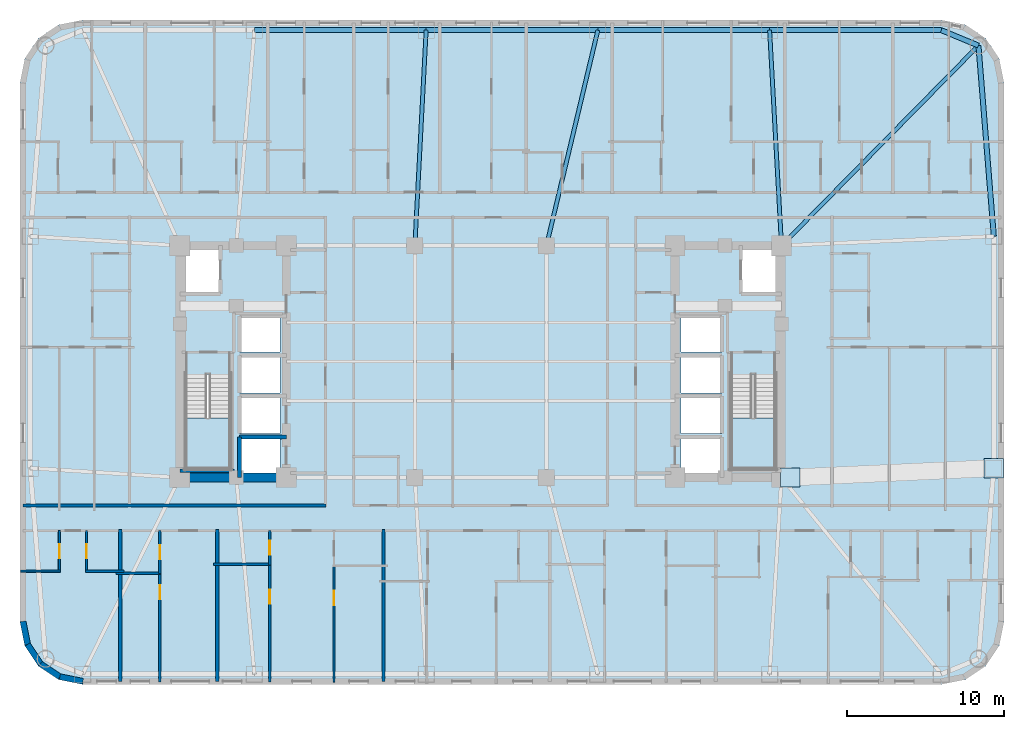
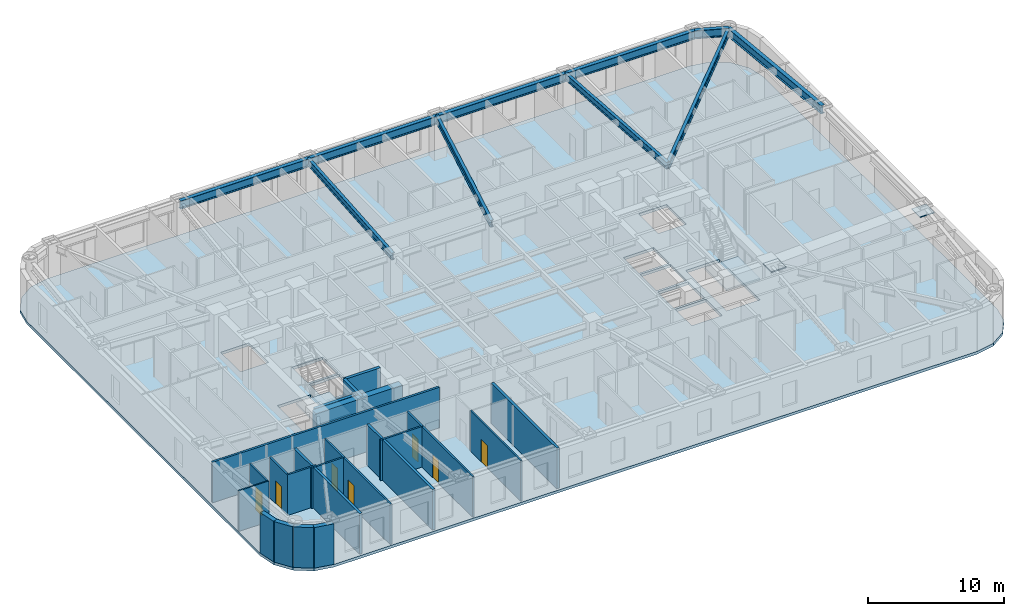
# One storey, part 2 of 12: 23 walls, 10 beams, 7 doors, 3 slabs, 2 plates, 7 openings, 2 elements without a shape of their own.
"""IFC4 building model written with IfcOpenShell, lengths in metres."""

from ifc_helpers import new_model, si_unit, direction, frame, frame_2d, origin, origin_2d, place, context, subcontext, project, spatial, polyline, rectangle, i_section, outline, extrude, material, layer, layer_set, material_profile, profile_set, type_object, element, fill, aggregate, save


model = new_model("IFC4")

# Units and contexts
model_context = context("Model", 3, precision=1e-05, world=origin(), true_north=direction((0.0, 1.0)))
body_context = subcontext(model_context, "Body", "Model", "MODEL_VIEW")
ifc_project = project(units=[si_unit("LENGTHUNIT", "METRE"), si_unit("AREAUNIT", "SQUARE_METRE"), si_unit("VOLUMEUNIT", "CUBIC_METRE"), si_unit("PLANEANGLEUNIT", "RADIAN"), si_unit("MASSUNIT", "GRAM", prefix="KILO")], contexts=[model_context])

# Site, building, storey
site_placement = place(None, origin())
site = spatial("IfcSite", under=ifc_project, at=site_placement, CompositionType="ELEMENT")
building_placement = place(site_placement, origin())
building = spatial("IfcBuilding", under=site, at=building_placement, Name="Voryun Gate Residences", CompositionType="ELEMENT")
storey_placement = place(building_placement, frame((0.0, 0.0, 132.60009765625)))
storey = spatial("IfcBuildingStorey", under=building, at=storey_placement, Name="L32", CompositionType="ELEMENT", Elevation=132.60009765625)

# Beams
ifc_material_1 = material(Name="Steel SM355", Category="steel")
ifc_material_profile_1 = material_profile(ifc_material_1, i_section(OverallWidth=0.320068359375, OverallDepth=0.75, WebThickness=0.01611328125, FlangeThickness=0.028076171875, FilletRadius=0.01806640625, at=origin_2d()), Name="H-750x320x16x28")
ifc_profile_set_1 = profile_set([ifc_material_profile_1], Name="Steel SM355")
beam_type_1 = type_object("IfcBeamType", Name="BM_EXO_SPANDREL_L", PredefinedType="SPANDREL", material=ifc_profile_set_1)
beam_1_placement = place(storey_placement, frame((32.75, 7.998046875, 3.27490234375), z_axis=(-0.080359517973, 0.996765944378, 0.0), x_axis=(-0.996765944378, -0.080359517973, 0.0)))
element("IfcBeam", 1, at=beam_1_placement, inside=storey, type_object=beam_type_1, Name="BM-L32-SPAND-09", PredefinedType="SPANDREL", context=body_context, shape_type="SweptSolid", body=[
    extrude(i_section(OverallWidth=0.320068359375, OverallDepth=0.75, WebThickness=0.01611328125, FlangeThickness=0.028076171875, FilletRadius=0.01806640625, at=origin_2d()), origin(), (0.0, 0.0, 1.0), 12.210205078125),
])
beam_2_placement = place(storey_placement, frame((31.768798828125, 20.168701171875, 3.27490234375), z_axis=(-0.923883376753, 0.382674151414, 0.0), x_axis=(-0.382674151414, -0.923883376753, 0.0)))
element("IfcBeam", 2, at=beam_2_placement, inside=storey, type_object=beam_type_1, Name="BM-L32-SPAND-10", PredefinedType="SPANDREL", context=body_context, shape_type="SweptSolid", body=[
    extrude(i_section(OverallWidth=0.320068359375, OverallDepth=0.75, WebThickness=0.01611328125, FlangeThickness=0.028076171875, FilletRadius=0.01806640625, at=origin_2d()), origin(), (0.0, 0.0, 1.0), 2.56396484375),
])
for number, where, z_axis, x_axis, name in (
    (3, (29.39990234375, 21.14990234375, 3.27490234375), (-1.0, 0.0, 0.0), (0.0, -1.0, 0.0), "BM-L32-SPAND-11"),
    (4, (18.43994140625, 21.14990234375, 3.27490234375), (-1.0, 0.0, 0.0), (0.0, -1.0, 0.0), "BM-L32-SPAND-12"),
    (5, (7.47998046875, 21.14990234375, 3.27490234375), (-1.0, 0.0, 0.0), (0.0, -1.0, 0.0), "BM-L32-SPAND-13"),
    (6, (-3.47998046875, 21.14990234375, 3.27490234375), (-1.0, 0.0, 0.0), (0.0, -1.0, 0.0), "BM-L32-SPAND-14"),
):
    element("IfcBeam", number, at=place(storey_placement, frame(where, z_axis=z_axis, x_axis=x_axis)), inside=storey, type_object=beam_type_1, Name=name, PredefinedType="SPANDREL", context=body_context, shape_type="SweptSolid", body=[
        extrude(i_section(OverallWidth=0.320068359375, OverallDepth=0.75, WebThickness=0.01611328125, FlangeThickness=0.028076171875, FilletRadius=0.01806640625, at=origin_2d()), origin(), (0.0, 0.0, 1.0), 10.9599609375),
    ])
ifc_material_2 = material(Name="Steel SM355", Category="steel")
ifc_material_profile_2 = material_profile(ifc_material_2, i_section(OverallWidth=0.25, OverallDepth=0.60009765625, WebThickness=0.011962890625, FlangeThickness=0.02197265625, FilletRadius=0.01806640625, at=origin_2d()), Name="H-600x250x12x22")
ifc_profile_set_2 = profile_set([ifc_material_profile_2], Name="Steel SM355")
beam_type_2 = type_object("IfcBeamType", Name="BM_GIRD_600", PredefinedType="USERDEFINED", material=ifc_profile_set_2)
beam_3_placement = place(storey_placement, frame((19.199951171875, 7.39990234375, 3.349853515625), z_axis=(0.701504829324, 0.712664699866, 0.0), x_axis=(-0.712664699866, 0.701504829324, 0.0)))
element("IfcBeam", 7, at=beam_3_placement, inside=storey, type_object=beam_type_2, Name="BM-L32-RAD-CNE", ObjectType="GIRDER", PredefinedType="USERDEFINED", context=body_context, shape_type="SweptSolid", body=[
    extrude(i_section(OverallWidth=0.25, OverallDepth=0.60009765625, WebThickness=0.011962890625, FlangeThickness=0.02197265625, FilletRadius=0.01806640625, at=origin_2d()), origin(), (0.0, 0.0, 1.0), 17.9169921875),
])
beam_4_placement = place(storey_placement, frame((19.199951171875, 7.39990234375, 3.349853515625), z_axis=(-0.055189196078, 0.9984759149, 0.0), x_axis=(-0.9984759149, -0.055189196078, 0.0)))
element("IfcBeam", 8, at=beam_4_placement, inside=storey, type_object=beam_type_2, Name="BM-L32-RAD-N2", ObjectType="GIRDER", PredefinedType="USERDEFINED", context=body_context, shape_type="SweptSolid", body=[
    extrude(i_section(OverallWidth=0.25, OverallDepth=0.60009765625, WebThickness=0.011962890625, FlangeThickness=0.02197265625, FilletRadius=0.01806640625, at=origin_2d()), origin(), (0.0, 0.0, 1.0), 13.77099609375),
])
beam_5_placement = place(storey_placement, frame((4.199951171875, 7.39990234375, 3.349853515625), z_axis=(0.232036902087, 0.972706983665, 0.0), x_axis=(-0.972706983665, 0.232036902087, 0.0)))
element("IfcBeam", 9, at=beam_5_placement, inside=storey, type_object=beam_type_2, Name="BM-L32-RAD-N3", ObjectType="GIRDER", PredefinedType="USERDEFINED", context=body_context, shape_type="SweptSolid", body=[
    extrude(i_section(OverallWidth=0.25, OverallDepth=0.60009765625, WebThickness=0.011962890625, FlangeThickness=0.02197265625, FilletRadius=0.01806640625, at=origin_2d()), origin(), (0.0, 0.0, 1.0), 14.1357421875),
])
beam_6_placement = place(storey_placement, frame((-4.199951171875, 7.39990234375, 3.349853515625), z_axis=(0.052289872463, 0.998631948837, 0.0), x_axis=(-0.998631948837, 0.052289872463, 0.0)))
element("IfcBeam", 10, at=beam_6_placement, inside=storey, type_object=beam_type_2, Name="BM-L32-RAD-N4", ObjectType="GIRDER", PredefinedType="USERDEFINED", context=body_context, shape_type="SweptSolid", body=[
    extrude(i_section(OverallWidth=0.25, OverallDepth=0.60009765625, WebThickness=0.011962890625, FlangeThickness=0.02197265625, FilletRadius=0.01806640625, at=origin_2d()), origin(), (0.0, 0.0, 1.0), 13.768798828125),
])

# Plates
ifc_material_3 = material(Name="Steel SM355", Category="steel")
ifc_layer_1 = layer(ifc_material_3, 0.02490234375, Name="PLT_END_CAP_25")
ifc_layer_set_1 = layer_set([ifc_layer_1], Name="Steel SM355")
plate_type = type_object("IfcPlateType", Name="PLT_END_CAP_25", PredefinedType="USERDEFINED", material=ifc_layer_set_1)
for number, where, z_axis, x_axis, name in (
    (11, (19.75, -7.39990234375, 3.059814453125), (0.0, 0.0, 1.0), (1.0, 0.0, 0.0), "L32 Hollow Member End-Cap Plate EC-390"),
    (12, (32.75, -6.798095703125, 3.059814453125), (0.0, 0.0, 1.0), (1.0, 0.0, 0.0), "L32 Hollow Member End-Cap Plate EC-391"),
):
    element("IfcPlate", number, at=place(storey_placement, frame(where, z_axis=z_axis, x_axis=x_axis)), inside=storey, type_object=plate_type, Name=name, ObjectType="BASE_PLATE", PredefinedType="USERDEFINED", context=body_context, shape_type="SweptSolid", body=[
        extrude(rectangle(XDim=1.239990234375, YDim=1.239990234375, at=origin_2d()), origin(), (0.0, 0.0, 1.0), 0.080078125),
    ])

# Slab
ifc_material_4 = material(Name="Concrete C40/50", Category="concrete")
ifc_layer_2 = layer(ifc_material_4, 0.25, Name="SLB_RES_250")
ifc_layer_set_2 = layer_set([ifc_layer_2], Name="Concrete C40/50")
slab_type_1 = type_object("IfcSlabType", Name="SLB_RES_250", PredefinedType="FLOOR", material=ifc_layer_set_2)
slab_1_placement = place(storey_placement, frame((0.0, 0.0, -0.25)))
element("IfcSlab", 13, at=slab_1_placement, inside=storey, type_object=slab_type_1, Name="L32 Structural Floor Slab", PredefinedType="FLOOR", context=body_context, shape_type="SweptSolid", body=[
    extrude(outline(polyline([(-25.39990234375, -20.60009765625), (-26.9306640625, -20.29541015625), (-28.228515625, -19.428466796875), (-29.095458984375, -18.130615234375), (-29.39990234375, -16.60009765625), (-29.39990234375, 17.800048828125), (-29.095458984375, 19.330810546875), (-28.228515625, 20.62841796875), (-26.9306640625, 21.49560546875), (-25.39990234375, 21.800048828125), (29.39990234375, 21.800048828125), (30.9306640625, 21.49560546875), (32.228515625, 20.62841796875), (33.095458984375, 19.330810546875), (33.39990234375, 17.800048828125), (33.39990234375, -16.60009765625), (33.095458984375, -18.130615234375), (32.228515625, -19.428466796875), (30.9306640625, -20.29541015625), (29.39990234375, -20.60009765625), (-25.39990234375, -20.60009765625)]), holes=[polyline([(-12.800048828125, -4.800048828125), (-15.39990234375, -4.800048828125), (-15.39990234375, -7.199951171875), (-12.800048828125, -7.199951171875), (-12.800048828125, -4.800048828125)]), polyline([(-18.824951171875, -6.85009765625), (-15.97509765625, -6.85009765625), (-15.97509765625, -0.840087890625), (-18.824951171875, -0.840087890625), (-18.824951171875, -6.85009765625)]), polyline([(-12.800048828125, -4.60009765625), (-12.800048828125, -2.199951171875), (-15.39990234375, -2.199951171875), (-15.39990234375, -4.60009765625), (-12.800048828125, -4.60009765625)]), polyline([(-12.800048828125, 0.39990234375), (-15.39990234375, 0.39990234375), (-15.39990234375, -2.0), (-12.800048828125, -2.0), (-12.800048828125, 0.39990234375)]), polyline([(-12.800048828125, 0.60009765625), (-12.800048828125, 2.89990234375), (-15.39990234375, 2.89990234375), (-15.39990234375, 0.60009765625), (-12.800048828125, 0.60009765625)]), polyline([(-16.60009765625, 4.300048828125), (-16.60009765625, 7.199951171875), (-19.0, 7.199951171875), (-19.0, 4.300048828125), (-16.60009765625, 4.300048828125)]), polyline([(15.39990234375, -4.800048828125), (12.800048828125, -4.800048828125), (12.800048828125, -7.199951171875), (15.39990234375, -7.199951171875), (15.39990234375, -4.800048828125)]), polyline([(15.97509765625, -6.85009765625), (18.824951171875, -6.85009765625), (18.824951171875, -0.840087890625), (15.97509765625, -0.840087890625), (15.97509765625, -6.85009765625)]), polyline([(15.39990234375, -4.60009765625), (15.39990234375, -2.199951171875), (12.800048828125, -2.199951171875), (12.800048828125, -4.60009765625), (15.39990234375, -4.60009765625)]), polyline([(15.39990234375, 0.39990234375), (12.800048828125, 0.39990234375), (12.800048828125, -2.0), (15.39990234375, -2.0), (15.39990234375, 0.39990234375)]), polyline([(15.39990234375, 0.60009765625), (15.39990234375, 2.89990234375), (12.800048828125, 2.89990234375), (12.800048828125, 0.60009765625), (15.39990234375, 0.60009765625)]), polyline([(19.0, 4.300048828125), (19.0, 7.199951171875), (16.60009765625, 7.199951171875), (16.60009765625, 4.300048828125), (19.0, 4.300048828125)])]), origin(), (0.0, 0.0, 1.0), 0.25),
])

# Stair, slab
ifc_material_5 = material(Name="Concrete C40/50", Category="concrete")
stair_type = type_object("IfcStairType", Name="STR_CORE_DOGLEG_1350", PredefinedType="HALF_TURN_STAIR", material=ifc_material_5)
stair_1_placement = place(storey_placement, origin())
stair_1 = element("IfcStair", 14, at=stair_1_placement, inside=storey, type_object=stair_type, Name="L32 Special Escape Stair ST-W1", PredefinedType="HALF_TURN_STAIR")
ifc_material_6 = material(Name="Concrete C40/50", Category="concrete")
ifc_layer_3 = layer(ifc_material_6, 0.199951171875, Name="SLB_STAIR_LANDING_200")
ifc_layer_set_3 = layer_set([ifc_layer_3], Name="Concrete C40/50")
slab_type_2 = type_object("IfcSlabType", Name="SLB_STAIR_LANDING_200", PredefinedType="LANDING", material=ifc_layer_set_3)
slab_2_placement = place(storey_placement, frame((0.0, 0.0, 1.75)))
slab_2 = element("IfcSlab", 15, at=slab_2_placement, type_object=slab_type_2, Name="ST-W1 landing 1", PredefinedType="LANDING", context=body_context, shape_type="SweptSolid", body=[
    extrude(outline(polyline([(-18.824951171875, -3.60009765625), (-18.824951171875, -6.85009765625), (-15.97509765625, -6.85009765625), (-15.97509765625, -3.60009765625), (-18.824951171875, -3.60009765625)])), origin(), (0.0, 0.0, 1.0), 0.199951171875),
])
aggregate(stair_1, [slab_2])

stair_2_placement = place(storey_placement, origin())
stair_2 = element("IfcStair", 16, at=stair_2_placement, inside=storey, type_object=stair_type, Name="L32 Special Escape Stair ST-E1", PredefinedType="HALF_TURN_STAIR")
slab_3_placement = place(storey_placement, frame((0.0, 0.0, 1.75)))
slab_3 = element("IfcSlab", 17, at=slab_3_placement, type_object=slab_type_2, Name="ST-E1 landing 1", PredefinedType="LANDING", context=body_context, shape_type="SweptSolid", body=[
    extrude(outline(polyline([(15.97509765625, -3.60009765625), (15.97509765625, -6.85009765625), (18.824951171875, -6.85009765625), (18.824951171875, -3.60009765625), (15.97509765625, -3.60009765625)])), origin(), (0.0, 0.0, 1.0), 0.199951171875),
])
aggregate(stair_2, [slab_3])

# Walls
ifc_material_7 = material(Name="Concrete C60/75", Category="concrete")
ifc_layer_4 = layer(ifc_material_7, 0.550048828125, Name="CW_CORE_550")
ifc_layer_set_4 = layer_set([ifc_layer_4], Name="Concrete C60/75")
wall_type_1 = type_object("IfcWallType", Name="CW_CORE_550", PredefinedType="SHEAR", material=ifc_layer_set_4)
wall_1_placement = place(storey_placement, frame((-19.47509765625, -7.39990234375, 0.0), z_axis=(0.0, 0.0, 1.0), x_axis=(1.0, 0.0, 0.0)))
element("IfcWall", 18, at=wall_1_placement, inside=storey, type_object=wall_type_1, Name="L32 Core shear wall CW-L32-WS", PredefinedType="SHEAR", context=body_context, shape_type="SweptSolid", body=[
    extrude(rectangle(XDim=7.35009765625, YDim=0.550048828125, at=frame_2d((3.675048828125, 0.0))), origin(), (0.0, 0.0, 1.0), 3.64990234375),
])
ifc_material_8 = material(Name="Gypsum acoustic fireboard")
ifc_layer_5 = layer(ifc_material_8, 0.179931640625, Name="W_CORR_RATED_180")
ifc_layer_set_5 = layer_set([ifc_layer_5], Name="Gypsum acoustic fireboard")
wall_type_2 = type_object("IfcWallType", Name="W_CORR_RATED_180", PredefinedType="PARTITIONING", material=ifc_layer_set_5)
wall_2_placement = place(storey_placement, frame((-29.2099609375, -9.18994140625, 0.0), z_axis=(0.0, 0.0, 1.0), x_axis=(1.0, 0.0, 0.0)))
element("IfcWall", 19, at=wall_2_placement, inside=storey, type_object=wall_type_2, Name="Partition wall WP-L32-CWING-WS", PredefinedType="PARTITIONING", context=body_context, shape_type="SweptSolid", body=[
    extrude(rectangle(XDim=19.330078125, YDim=0.179931640625, at=frame_2d((9.6650390625, 0.0))), origin(), (0.0, 0.0, 1.0), 3.64990234375),
])
ifc_material_9 = material(Name="Granite masonry", Category="masonry")
ifc_layer_6 = layer(ifc_material_9, 0.3798828125, Name="W_EXT_GRANITE_380")
ifc_layer_set_6 = layer_set([ifc_layer_6], Name="Granite masonry")
wall_type_3 = type_object("IfcWallType", Name="W_EXT_GRANITE_380", PredefinedType="ELEMENTEDWALL", material=ifc_layer_set_6)
wall_3_placement = place(storey_placement, frame((-25.38134765625, -20.409912109375, 0.0), z_axis=(0.0, 0.0, 1.0), x_axis=(-0.980786132421, 0.195086038585, 0.0)))
element("IfcWall", 20, at=wall_3_placement, inside=storey, type_object=wall_type_3, Name="Exterior wall WEXT-L32-02", PredefinedType="ELEMENTEDWALL", context=body_context, shape_type="SweptSolid", body=[
    extrude(rectangle(XDim=1.504150390625, YDim=0.3798828125, at=frame_2d((0.751953125, 0.0))), origin(), (0.0, 0.0, 1.0), 3.64990234375),
])
wall_4_placement = place(storey_placement, frame((-26.856689453125, -20.116455078125, 0.0), z_axis=(0.0, 0.0, 1.0), x_axis=(-0.831468045563, 0.555572577804, 0.0)))
element("IfcWall", 21, at=wall_4_placement, inside=storey, type_object=wall_type_3, Name="Exterior wall WEXT-L32-03", PredefinedType="ELEMENTEDWALL", context=body_context, shape_type="SweptSolid", body=[
    extrude(rectangle(XDim=1.48486328125, YDim=0.3798828125, at=frame_2d((0.742431640625, 0.0))), origin(), (0.0, 0.0, 1.0), 3.64990234375),
])
wall_5_placement = place(storey_placement, frame((-28.09130859375, -19.29150390625, 0.0), z_axis=(0.0, 0.0, 1.0), x_axis=(-0.555610286119, 0.831442848281, 0.0)))
element("IfcWall", 22, at=wall_5_placement, inside=storey, type_object=wall_type_3, Name="Exterior wall WEXT-L32-04", PredefinedType="ELEMENTEDWALL", context=body_context, shape_type="SweptSolid", body=[
    extrude(rectangle(XDim=1.485107421875, YDim=0.3798828125, at=frame_2d((0.74267578125, 0.0))), origin(), (0.0, 0.0, 1.0), 3.64990234375),
])
wall_6_placement = place(storey_placement, frame((-28.91650390625, -18.056640625, 0.0), z_axis=(0.0, 0.0, 1.0), x_axis=(-0.195086038585, 0.980786132421, 0.0)))
element("IfcWall", 23, at=wall_6_placement, inside=storey, type_object=wall_type_3, Name="Exterior wall WEXT-L32-05", PredefinedType="ELEMENTEDWALL", context=body_context, shape_type="SweptSolid", body=[
    extrude(rectangle(XDim=1.504150390625, YDim=0.3798828125, at=frame_2d((0.751953125, 0.0))), origin(), (0.0, 0.0, 1.0), 3.64990234375),
])
ifc_material_10 = material(Name="Concrete C40/50", Category="concrete")
ifc_layer_7 = layer(ifc_material_10, 0.219970703125, Name="W_PARTY_ACOUSTIC_220")
ifc_layer_set_7 = layer_set([ifc_layer_7], Name="Concrete C40/50")
wall_type_4 = type_object("IfcWallType", Name="W_PARTY_ACOUSTIC_220", PredefinedType="PARTITIONING", material=ifc_layer_set_7)
for number, where, z_axis, x_axis, name in (
    (24, (-23.009033203125, -20.409912109375, 0.0), (0.0, 0.0, 1.0), (0.0, 1.0, 0.0), "Partition wall WP-L32-SPTY-1"),
    (25, (-16.800048828125, -20.409912109375, 0.0), (0.0, 0.0, 1.0), (0.0, 1.0, 0.0), "Partition wall WP-L32-SPTY-2"),
    (26, (-6.199951171875, -20.409912109375, 0.0), (0.0, 0.0, 1.0), (0.0, 1.0, 0.0), "Partition wall WP-L32-SPTY-3"),
):
    element("IfcWall", number, at=place(storey_placement, frame(where, z_axis=z_axis, x_axis=x_axis)), inside=storey, type_object=wall_type_4, Name=name, PredefinedType="PARTITIONING", context=body_context, shape_type="SweptSolid", body=[
        extrude(rectangle(XDim=9.68994140625, YDim=0.219970703125, at=frame_2d((4.844970703125, 0.0))), origin(), (0.0, 0.0, 1.0), 3.64990234375),
    ])
ifc_material_11 = material(Name="Concrete C50/60", Category="concrete")
ifc_layer_8 = layer(ifc_material_11, 0.25, Name="W_SHAFT_RC250")
ifc_layer_set_8 = layer_set([ifc_layer_8], Name="Concrete C50/60")
wall_type_5 = type_object("IfcWallType", Name="W_SHAFT_RC250", PredefinedType="SOLIDWALL", material=ifc_layer_set_8)
wall_7_placement = place(storey_placement, frame((-19.199951171875, -6.965087890625, 0.0), z_axis=(0.0, 0.0, 1.0), x_axis=(1.0, 0.0, 0.0)))
element("IfcWall", 27, at=wall_7_placement, inside=storey, type_object=wall_type_5, Name="L32 Stair shaft structural wall W-STS", PredefinedType="SOLIDWALL", context=body_context, shape_type="SweptSolid", body=[
    extrude(rectangle(XDim=3.4599609375, YDim=0.25, at=frame_2d((1.72998046875, 0.0))), origin(), (0.0, 0.0, 1.0), 3.64990234375),
])
wall_8_placement = place(storey_placement, frame((-12.39990234375, -4.800048828125, 0.0), z_axis=(0.0, 0.0, 1.0), x_axis=(-1.0, 0.0, 0.0)))
element("IfcWall", 28, at=wall_8_placement, inside=storey, type_object=wall_type_5, Name="Lift shaft wall WSH-L32-EL-P1-N", PredefinedType="SOLIDWALL", context=body_context, shape_type="SweptSolid", body=[
    extrude(rectangle(XDim=3.0, YDim=0.25, at=frame_2d((1.5, 0.0))), origin(), (0.0, 0.0, 1.0), 3.64990234375),
])
wall_9_placement = place(storey_placement, frame((-15.39990234375, -4.800048828125, 0.0), z_axis=(0.0, 0.0, 1.0), x_axis=(0.0, -1.0, 0.0)))
element("IfcWall", 29, at=wall_9_placement, inside=storey, type_object=wall_type_5, Name="Lift shaft wall WSH-L32-EL-P1-W", PredefinedType="SOLIDWALL", context=body_context, shape_type="SweptSolid", body=[
    extrude(rectangle(XDim=2.599853515625, YDim=0.25, at=frame_2d((1.2998046875, 0.0))), origin(), (0.0, 0.0, 1.0), 3.64990234375),
])

# Wall, opening, door
ifc_material_12 = material(Name="Gypsum acoustic partition")
ifc_layer_9 = layer(ifc_material_12, 0.125, Name="W_UNIT_PART_125")
ifc_layer_set_9 = layer_set([ifc_layer_9], Name="Gypsum acoustic partition")
wall_type_6 = type_object("IfcWallType", Name="W_UNIT_PART_125", PredefinedType="PARTITIONING", material=ifc_layer_set_9)
wall_10_placement = place(storey_placement, frame((-26.881103515625, -13.429931640625, 0.0), z_axis=(0.0, 0.0, 1.0), x_axis=(0.0, 1.0, 0.0)))
wall_10 = element("IfcWall", 30, at=wall_10_placement, inside=storey, type_object=wall_type_6, Name="Partition wall WP-L32-S1-CVK", PredefinedType="PARTITIONING", context=body_context, shape_type="SweptSolid", body=[
    extrude(rectangle(XDim=2.64990234375, YDim=0.125, at=frame_2d((1.324951171875, 0.0))), origin(), (0.0, 0.0, 1.0), 3.64990234375),
])
opening_1_placement = place(wall_10_placement, frame((0.875, 0.0, 0.0)))
opening_1 = element("IfcOpeningElement", 31, at=opening_1_placement, cuts=wall_10, Name="Opening D-INT-2", PredefinedType="OPENING", context=body_context, shape_type="SweptSolid", body=[
    extrude(rectangle(XDim=0.89990234375, YDim=2.050048828125, at=frame_2d((0.449951171875, 1.02490234375))), frame((0.0, 0.072509765625, 0.0), z_axis=(0.0, -1.0, 0.0), x_axis=(1.0, 0.0, 0.0)), (0.0, 0.0, 1.0), 0.14501953125),
])
ifc_material_13 = material(Name="Architectural oak veneer")
door_type = type_object("IfcDoorType", Name="DR_INT_BATH_900", OperationType="NOTDEFINED", PredefinedType="DOOR", material=ifc_material_13)
door_1_placement = place(opening_1_placement, origin())
door_1 = element("IfcDoor", 32, at=door_1_placement, inside=storey, type_object=door_type, Name="Door DR-L32-S1-DK", OperationType="SINGLE_SWING_LEFT", OverallHeight=2.050048828125, OverallWidth=0.89990234375, PredefinedType="DOOR", context=body_context, shape_type="SweptSolid", body=[
    extrude(rectangle(XDim=0.89990234375, YDim=2.050048828125, at=frame_2d((0.449951171875, 1.02490234375))), frame((0.0, 0.02490234375, 0.0), z_axis=(0.0, -1.0, 0.0), x_axis=(1.0, 0.0, 0.0)), (0.0, 0.0, 1.0), 0.050048828125),
])
fill(opening_1, door_1)

# Wall
wall_11_placement = place(storey_placement, frame((-29.360107421875, -13.3701171875, 0.0), z_axis=(0.0, 0.0, 1.0), x_axis=(1.0, 0.0, 0.0)))
element("IfcWall", 33, at=wall_11_placement, inside=storey, type_object=wall_type_6, Name="Partition wall WP-L32-S1-CHK", PredefinedType="PARTITIONING", context=body_context, shape_type="SweptSolid", body=[
    extrude(rectangle(XDim=2.5390625, YDim=0.125, at=frame_2d((1.26953125, 0.0))), origin(), (0.0, 0.0, 1.0), 3.64990234375),
])

# Wall, opening, door
wall_12_placement = place(storey_placement, frame((-9.360107421875, -20.45751953125, 0.0), z_axis=(0.0, 0.0, 1.0), x_axis=(0.0, 1.0, 0.0)))
wall_12 = element("IfcWall", 34, at=wall_12_placement, inside=storey, type_object=wall_type_6, Name="Partition wall WP-L32-S3-RVX1", PredefinedType="PARTITIONING", context=body_context, shape_type="SweptSolid", body=[
    extrude(rectangle(XDim=7.45751953125, YDim=0.125, at=frame_2d((3.728759765625, 0.0))), origin(), (0.0, 0.0, 1.0), 3.64990234375),
])
opening_2_placement = place(wall_12_placement, frame((4.91943359375, 0.0, 0.0)))
opening_2 = element("IfcOpeningElement", 35, at=opening_2_placement, cuts=wall_12, Name="Opening D-INT-2", PredefinedType="OPENING", context=body_context, shape_type="SweptSolid", body=[
    extrude(rectangle(XDim=0.89990234375, YDim=2.050048828125, at=frame_2d((0.449951171875, 1.02490234375))), frame((0.0, 0.072509765625, 0.0), z_axis=(0.0, -1.0, 0.0), x_axis=(1.0, 0.0, 0.0)), (0.0, 0.0, 1.0), 0.14501953125),
])
door_2_placement = place(opening_2_placement, origin())
door_2 = element("IfcDoor", 36, at=door_2_placement, inside=storey, type_object=door_type, Name="Door DR-L32-S3-DB2", OperationType="SINGLE_SWING_RIGHT", OverallHeight=2.050048828125, OverallWidth=0.89990234375, PredefinedType="DOOR", context=body_context, shape_type="SweptSolid", body=[
    extrude(rectangle(XDim=0.89990234375, YDim=2.050048828125, at=frame_2d((0.449951171875, 1.02490234375))), frame((0.0, 0.02490234375, 0.0), z_axis=(0.0, -1.0, 0.0), x_axis=(1.0, 0.0, 0.0)), (0.0, 0.0, 1.0), 0.050048828125),
])
fill(opening_2, door_2)

ifc_material_14 = material(Name="Gypsum moisture-resistant partition")
ifc_layer_10 = layer(ifc_material_14, 0.14990234375, Name="W_WET_PLUMB_150")
ifc_layer_set_10 = layer_set([ifc_layer_10], Name="Gypsum moisture-resistant partition")
wall_type_7 = type_object("IfcWallType", Name="W_WET_PLUMB_150", PredefinedType="PLUMBINGWALL", material=ifc_layer_set_10)
wall_13_placement = place(storey_placement, frame((-25.159912109375, -13.429931640625, 0.0), z_axis=(0.0, 0.0, 1.0), x_axis=(0.0, 1.0, 0.0)))
wall_13 = element("IfcWall", 37, at=wall_13_placement, inside=storey, type_object=wall_type_7, Name="Partition wall WP-L32-S1-CVB", PredefinedType="PLUMBINGWALL", context=body_context, shape_type="SweptSolid", body=[
    extrude(rectangle(XDim=2.64990234375, YDim=0.14990234375, at=frame_2d((1.324951171875, 0.0))), origin(), (0.0, 0.0, 1.0), 3.64990234375),
])
opening_3_placement = place(wall_13_placement, frame((0.875, 0.0, 0.0)))
opening_3 = element("IfcOpeningElement", 38, at=opening_3_placement, cuts=wall_13, Name="Opening D-INT-2", PredefinedType="OPENING", context=body_context, shape_type="SweptSolid", body=[
    extrude(rectangle(XDim=0.89990234375, YDim=2.050048828125, at=frame_2d((0.449951171875, 1.02490234375))), frame((0.0, 0.0849609375, 0.0), z_axis=(0.0, -1.0, 0.0), x_axis=(1.0, 0.0, 0.0)), (0.0, 0.0, 1.0), 0.169921875),
])
door_3_placement = place(opening_3_placement, origin())
door_3 = element("IfcDoor", 39, at=door_3_placement, inside=storey, type_object=door_type, Name="Door DR-L32-S1-DB", OperationType="SINGLE_SWING_RIGHT", OverallHeight=2.050048828125, OverallWidth=0.89990234375, PredefinedType="DOOR", context=body_context, shape_type="SweptSolid", body=[
    extrude(rectangle(XDim=0.89990234375, YDim=2.050048828125, at=frame_2d((0.449951171875, 1.02490234375))), frame((0.0, 0.02490234375, 0.0), z_axis=(0.0, -1.0, 0.0), x_axis=(1.0, 0.0, 0.0)), (0.0, 0.0, 1.0), 0.050048828125),
])
fill(opening_3, door_3)

# Walls
wall_14_placement = place(storey_placement, frame((-25.219970703125, -13.3701171875, 0.0), z_axis=(0.0, 0.0, 1.0), x_axis=(1.0, 0.0, 0.0)))
element("IfcWall", 40, at=wall_14_placement, inside=storey, type_object=wall_type_7, Name="Partition wall WP-L32-S1-CHB", PredefinedType="PLUMBINGWALL", context=body_context, shape_type="SweptSolid", body=[
    extrude(rectangle(XDim=2.470947265625, YDim=0.14990234375, at=frame_2d((1.2353515625, 0.0))), origin(), (0.0, 0.0, 1.0), 3.64990234375),
])
wall_15_placement = place(storey_placement, frame((-23.26904296875, -13.5, 0.0), z_axis=(0.0, 0.0, 1.0), x_axis=(1.0, 0.0, 0.0)))
element("IfcWall", 41, at=wall_15_placement, inside=storey, type_object=wall_type_7, Name="Partition wall WP-L32-S2-SKB", PredefinedType="PLUMBINGWALL", context=body_context, shape_type="SweptSolid", body=[
    extrude(rectangle(XDim=2.8779296875, YDim=0.14990234375, at=frame_2d((1.43896484375, 0.0))), origin(), (0.0, 0.0, 1.0), 3.64990234375),
])

# Wall, opening, door
wall_16_placement = place(storey_placement, frame((-20.470947265625, -20.45751953125, 0.0), z_axis=(0.0, 0.0, 1.0), x_axis=(0.0, 1.0, 0.0)))
wall_16 = element("IfcWall", 42, at=wall_16_placement, inside=storey, type_object=wall_type_7, Name="Partition wall WP-L32-S2-SVT1", PredefinedType="PLUMBINGWALL", context=body_context, shape_type="SweptSolid", body=[
    extrude(rectangle(XDim=6.99755859375, YDim=0.14990234375, at=frame_2d((3.498779296875, 0.0))), origin(), (0.0, 0.0, 1.0), 3.64990234375),
])
opening_4_placement = place(wall_16_placement, frame((5.2880859375, 0.0, 0.0)))
opening_4 = element("IfcOpeningElement", 43, at=opening_4_placement, cuts=wall_16, Name="Opening D-INT-2", PredefinedType="OPENING", context=body_context, shape_type="SweptSolid", body=[
    extrude(rectangle(XDim=0.89990234375, YDim=2.050048828125, at=frame_2d((0.449951171875, 1.02490234375))), frame((0.0, 0.0849609375, 0.0), z_axis=(0.0, -1.0, 0.0), x_axis=(1.0, 0.0, 0.0)), (0.0, 0.0, 1.0), 0.169921875),
])
door_4_placement = place(opening_4_placement, origin())
door_4 = element("IfcDoor", 44, at=door_4_placement, inside=storey, type_object=door_type, Name="Door DR-L32-S2-DK", OperationType="SINGLE_SWING_LEFT", OverallHeight=2.050048828125, OverallWidth=0.89990234375, PredefinedType="DOOR", context=body_context, shape_type="SweptSolid", body=[
    extrude(rectangle(XDim=0.89990234375, YDim=2.050048828125, at=frame_2d((0.449951171875, 1.02490234375))), frame((0.0, 0.02490234375, 0.0), z_axis=(0.0, -1.0, 0.0), x_axis=(1.0, 0.0, 0.0)), (0.0, 0.0, 1.0), 0.050048828125),
])
fill(opening_4, door_4)

wall_17_placement = place(storey_placement, frame((-20.470947265625, -13.5400390625, 0.0), z_axis=(0.0, 0.0, 1.0), x_axis=(0.0, 1.0, 0.0)))
wall_17 = element("IfcWall", 45, at=wall_17_placement, inside=storey, type_object=wall_type_7, Name="Partition wall WP-L32-S2-SVT2", PredefinedType="PLUMBINGWALL", context=body_context, shape_type="SweptSolid", body=[
    extrude(rectangle(XDim=2.760009765625, YDim=0.14990234375, at=frame_2d((1.3798828125, 0.0))), origin(), (0.0, 0.0, 1.0), 3.64990234375),
])
opening_5_placement = place(wall_17_placement, frame((0.929931640625, 0.0, 0.0)))
opening_5 = element("IfcOpeningElement", 46, at=opening_5_placement, cuts=wall_17, Name="Opening D-INT-2", PredefinedType="OPENING", context=body_context, shape_type="SweptSolid", body=[
    extrude(rectangle(XDim=0.89990234375, YDim=2.050048828125, at=frame_2d((0.449951171875, 1.02490234375))), frame((0.0, 0.0849609375, 0.0), z_axis=(0.0, -1.0, 0.0), x_axis=(1.0, 0.0, 0.0)), (0.0, 0.0, 1.0), 0.169921875),
])
door_5_placement = place(opening_5_placement, origin())
door_5 = element("IfcDoor", 47, at=door_5_placement, inside=storey, type_object=door_type, Name="Door DR-L32-S2-DB", OperationType="SINGLE_SWING_RIGHT", OverallHeight=2.050048828125, OverallWidth=0.89990234375, PredefinedType="DOOR", context=body_context, shape_type="SweptSolid", body=[
    extrude(rectangle(XDim=0.89990234375, YDim=2.050048828125, at=frame_2d((0.449951171875, 1.02490234375))), frame((0.0, 0.02490234375, 0.0), z_axis=(0.0, -1.0, 0.0), x_axis=(1.0, 0.0, 0.0)), (0.0, 0.0, 1.0), 0.050048828125),
])
fill(opening_5, door_5)

# Wall
wall_18_placement = place(storey_placement, frame((-17.06005859375, -12.93994140625, 0.0), z_axis=(0.0, 0.0, 1.0), x_axis=(1.0, 0.0, 0.0)))
element("IfcWall", 48, at=wall_18_placement, inside=storey, type_object=wall_type_7, Name="Partition wall WP-L32-S3-LHY", PredefinedType="PLUMBINGWALL", context=body_context, shape_type="SweptSolid", body=[
    extrude(rectangle(XDim=3.68017578125, YDim=0.14990234375, at=frame_2d((1.840087890625, 0.0))), origin(), (0.0, 0.0, 1.0), 3.64990234375),
])

# Wall, opening, door
wall_19_placement = place(storey_placement, frame((-13.4599609375, -20.45751953125, 0.0), z_axis=(0.0, 0.0, 1.0), x_axis=(0.0, 1.0, 0.0)))
wall_19 = element("IfcWall", 49, at=wall_19_placement, inside=storey, type_object=wall_type_7, Name="Partition wall WP-L32-S3-LVX1", PredefinedType="PLUMBINGWALL", context=body_context, shape_type="SweptSolid", body=[
    extrude(rectangle(XDim=7.5576171875, YDim=0.14990234375, at=frame_2d((3.77880859375, 0.0))), origin(), (0.0, 0.0, 1.0), 3.64990234375),
])
opening_6_placement = place(wall_19_placement, frame((4.991455078125, 0.0, 0.0)))
opening_6 = element("IfcOpeningElement", 50, at=opening_6_placement, cuts=wall_19, Name="Opening D-INT-2", PredefinedType="OPENING", context=body_context, shape_type="SweptSolid", body=[
    extrude(rectangle(XDim=0.89990234375, YDim=2.050048828125, at=frame_2d((0.449951171875, 1.02490234375))), frame((0.0, 0.0849609375, 0.0), z_axis=(0.0, -1.0, 0.0), x_axis=(1.0, 0.0, 0.0)), (0.0, 0.0, 1.0), 0.169921875),
])
door_6_placement = place(opening_6_placement, origin())
door_6 = element("IfcDoor", 51, at=door_6_placement, inside=storey, type_object=door_type, Name="Door DR-L32-S3-DMB", OperationType="SINGLE_SWING_LEFT", OverallHeight=2.050048828125, OverallWidth=0.89990234375, PredefinedType="DOOR", context=body_context, shape_type="SweptSolid", body=[
    extrude(rectangle(XDim=0.89990234375, YDim=2.050048828125, at=frame_2d((0.449951171875, 1.02490234375))), frame((0.0, 0.02490234375, 0.0), z_axis=(0.0, -1.0, 0.0), x_axis=(1.0, 0.0, 0.0)), (0.0, 0.0, 1.0), 0.050048828125),
])
fill(opening_6, door_6)

wall_20_placement = place(storey_placement, frame((-13.4599609375, -12.97998046875, 0.0), z_axis=(0.0, 0.0, 1.0), x_axis=(0.0, 1.0, 0.0)))
wall_20 = element("IfcWall", 52, at=wall_20_placement, inside=storey, type_object=wall_type_7, Name="Partition wall WP-L32-S3-LVX2", PredefinedType="PLUMBINGWALL", context=body_context, shape_type="SweptSolid", body=[
    extrude(rectangle(XDim=2.199951171875, YDim=0.14990234375, at=frame_2d((1.10009765625, 0.0))), origin(), (0.0, 0.0, 1.0), 3.64990234375),
])
opening_7_placement = place(wall_20_placement, frame((0.64990234375, 0.0, 0.0)))
opening_7 = element("IfcOpeningElement", 53, at=opening_7_placement, cuts=wall_20, Name="Opening D-INT-2", PredefinedType="OPENING", context=body_context, shape_type="SweptSolid", body=[
    extrude(rectangle(XDim=0.89990234375, YDim=2.050048828125, at=frame_2d((0.449951171875, 1.02490234375))), frame((0.0, 0.0849609375, 0.0), z_axis=(0.0, -1.0, 0.0), x_axis=(1.0, 0.0, 0.0)), (0.0, 0.0, 1.0), 0.169921875),
])
door_7_placement = place(opening_7_placement, origin())
door_7 = element("IfcDoor", 54, at=door_7_placement, inside=storey, type_object=door_type, Name="Door DR-L32-S3-DB", OperationType="SINGLE_SWING_RIGHT", OverallHeight=2.050048828125, OverallWidth=0.89990234375, PredefinedType="DOOR", context=body_context, shape_type="SweptSolid", body=[
    extrude(rectangle(XDim=0.89990234375, YDim=2.050048828125, at=frame_2d((0.449951171875, 1.02490234375))), frame((0.0, 0.02490234375, 0.0), z_axis=(0.0, -1.0, 0.0), x_axis=(1.0, 0.0, 0.0)), (0.0, 0.0, 1.0), 0.050048828125),
])
fill(opening_7, door_7)

save(model, "model.ifc")
